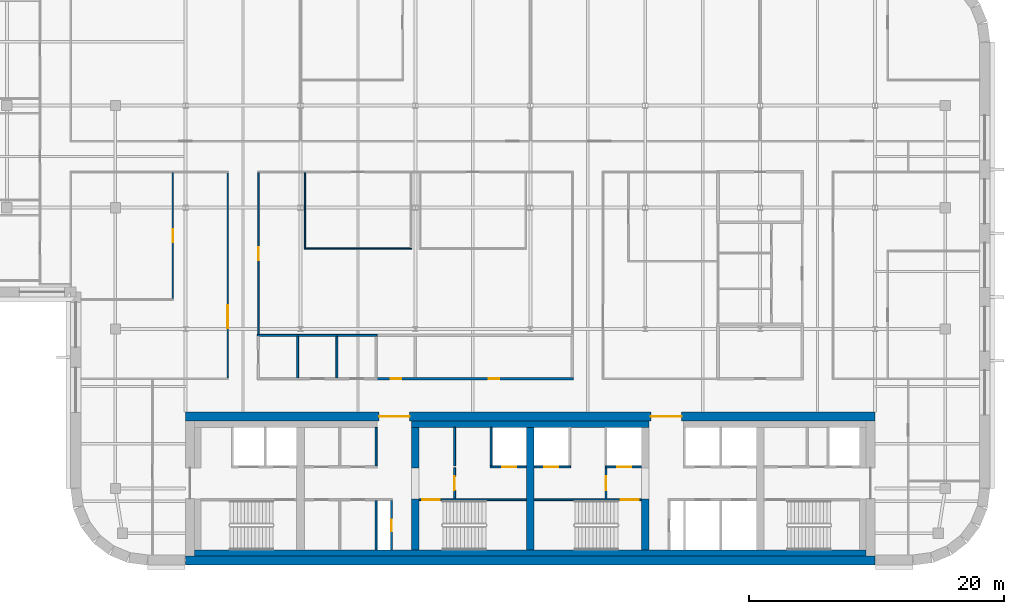
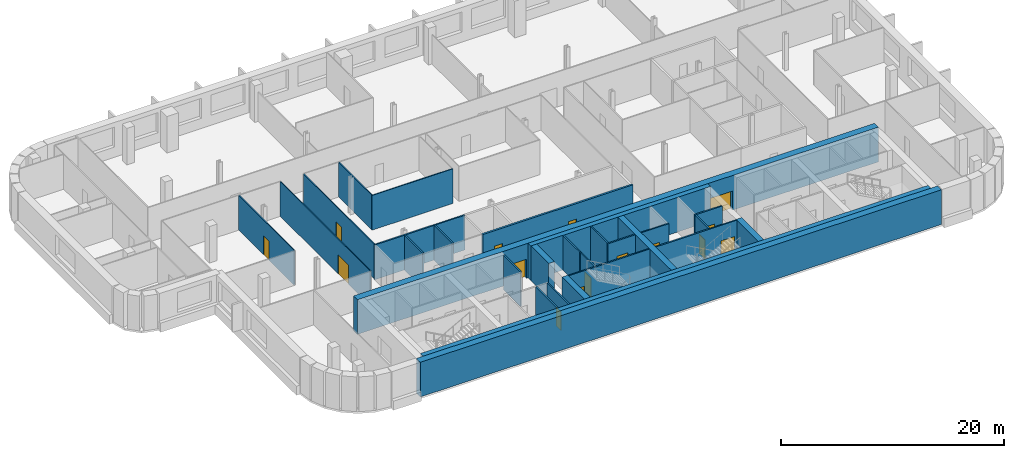
# One storey, part 8 of 17: 29 walls, 15 doors, 15 openings.
"""IFC4 building model written with IfcOpenShell, lengths in metres."""

from ifc_helpers import new_model, si_unit, direction, frame, frame_2d, origin, place, context, subcontext, project, spatial, rectangle, extrude, material, layer, layer_set, type_object, element, fill, save


model = new_model("IFC4")

# Units and contexts
model_context = context("Model", 3, precision=1e-05, world=origin(), true_north=direction((0.0, 1.0)))
body_context = subcontext(model_context, "Body", "Model", "MODEL_VIEW")
ifc_project = project(units=[si_unit("LENGTHUNIT", "METRE"), si_unit("AREAUNIT", "SQUARE_METRE"), si_unit("VOLUMEUNIT", "CUBIC_METRE"), si_unit("PLANEANGLEUNIT", "RADIAN"), si_unit("MASSUNIT", "GRAM", prefix="KILO")], contexts=[model_context])

# Site, building, storey
site_placement = place(None, origin())
site = spatial("IfcSite", under=ifc_project, at=site_placement, CompositionType="ELEMENT")
building_placement = place(site_placement, origin())
building = spatial("IfcBuilding", under=site, at=building_placement, Name="Zellij Exchange Tower", CompositionType="ELEMENT")
storey_placement = place(building_placement, frame((0.0, 0.0, 224.5)))
storey = spatial("IfcBuildingStorey", under=building, at=storey_placement, Name="L52", CompositionType="ELEMENT", Elevation=224.5)

# Walls
ifc_material_1 = material(Name="Concrete C50/60", Category="concrete")
ifc_layer_1 = layer(ifc_material_1, 0.60009765625)
ifc_layer_set_1 = layer_set([ifc_layer_1], Name="Concrete C50/60")
wall_type_1 = type_object("IfcWallType", Name="CORE-CW 600 C50/60", PredefinedType="SHEAR", material=ifc_layer_set_1)
wall_1_placement = place(storey_placement, frame((-9.0, -12.800048828125, 0.0), z_axis=(0.0, 0.0, 1.0), x_axis=(0.0, 1.0, 0.0)))
element("IfcWall", 1, at=wall_1_placement, inside=storey, type_object=wall_type_1, Name="Core cross wall pier x -9 a L52", PredefinedType="SHEAR", context=body_context, shape_type="SweptSolid", body=[
    extrude(rectangle(XDim=4.0, YDim=0.60009765625, at=frame_2d((2.0, 0.0))), origin(), (0.0, 0.0, 1.0), 3.800048828125),
])
wall_2_placement = place(storey_placement, frame((-9.0, -6.375, 0.0), z_axis=(0.0, 0.0, 1.0), x_axis=(0.0, 1.0, 0.0)))
element("IfcWall", 2, at=wall_2_placement, inside=storey, type_object=wall_type_1, Name="Core cross wall pier x -9 b L52", PredefinedType="SHEAR", context=body_context, shape_type="SweptSolid", body=[
    extrude(rectangle(XDim=3.175048828125, YDim=0.60009765625, at=frame_2d((1.58740234375, 0.0))), origin(), (0.0, 0.0, 1.0), 3.800048828125),
])
wall_3_placement = place(storey_placement, frame((0.0, -12.800048828125, 0.0), z_axis=(0.0, 0.0, 1.0), x_axis=(0.0, 1.0, 0.0)))
element("IfcWall", 3, at=wall_3_placement, inside=storey, type_object=wall_type_1, Name="Core cross wall x 0 L52", PredefinedType="SHEAR", context=body_context, shape_type="SweptSolid", body=[
    extrude(rectangle(XDim=9.60009765625, YDim=0.60009765625, at=frame_2d((4.800048828125, 0.0))), origin(), (0.0, 0.0, 1.0), 3.800048828125),
])
wall_4_placement = place(storey_placement, frame((9.0, -12.800048828125, 0.0), z_axis=(0.0, 0.0, 1.0), x_axis=(0.0, 1.0, 0.0)))
element("IfcWall", 4, at=wall_4_placement, inside=storey, type_object=wall_type_1, Name="Core cross wall pier x 9 a L52", PredefinedType="SHEAR", context=body_context, shape_type="SweptSolid", body=[
    extrude(rectangle(XDim=4.0, YDim=0.60009765625, at=frame_2d((2.0, 0.0))), origin(), (0.0, 0.0, 1.0), 3.800048828125),
])
ifc_material_2 = material(Name="Concrete C30/37", Category="concrete")
ifc_layer_2 = layer(ifc_material_2, 0.5)
ifc_layer_set_2 = layer_set([ifc_layer_2], Name="Concrete C30/37")
wall_type_2 = type_object("IfcWallType", Name="CORE-LW 500 C30/37", PredefinedType="SHEAR", material=ifc_layer_set_2)
wall_5_placement = place(storey_placement, frame((-9.300048828125, -2.949951171875, 0.0), z_axis=(0.0, 0.0, 1.0), x_axis=(1.0, 0.0, 0.0)))
element("IfcWall", 5, at=wall_5_placement, inside=storey, type_object=wall_type_2, Name="Core wall lining front.1 L52", PredefinedType="SHEAR", context=body_context, shape_type="SweptSolid", body=[
    extrude(rectangle(XDim=18.60009765625, YDim=0.5, at=frame_2d((9.300048828125, 0.0))), origin(), (0.0, 0.0, 1.0), 3.800048828125),
])
wall_6_placement = place(storey_placement, frame((-26.300048828125, -13.050048828125, 0.0), z_axis=(0.0, 0.0, 1.0), x_axis=(1.0, 0.0, 0.0)))
element("IfcWall", 6, at=wall_6_placement, inside=storey, type_object=wall_type_2, Name="Core wall lining rear.0 L52", PredefinedType="SHEAR", context=body_context, shape_type="SweptSolid", body=[
    extrude(rectangle(XDim=52.60009765625, YDim=0.5, at=frame_2d((26.300048828125, 0.0))), origin(), (0.0, 0.0, 1.0), 3.800048828125),
])

# Wall, opening, door
ifc_material_3 = material(Name="Gypsum shaft wall system")
ifc_layer_3 = layer(ifc_material_3, 0.14990234375)
ifc_layer_set_3 = layer_set([ifc_layer_3], Name="Gypsum shaft wall system")
wall_type_3 = type_object("IfcWallType", Name="CORE-PW 150 Firefighting lobby wall", PredefinedType="PARTITIONING", material=ifc_layer_set_3)
wall_7_placement = place(storey_placement, frame((-5.925048828125, -8.800048828125, 0.0), z_axis=(0.0, 0.0, 1.0), x_axis=(0.0, 1.0, 0.0)))
wall_7 = element("IfcWall", 7, at=wall_7_placement, inside=storey, type_object=wall_type_3, Name="Firefighting lobby wall L52", PredefinedType="PARTITIONING", context=body_context, shape_type="SweptSolid", body=[
    extrude(rectangle(XDim=2.425048828125, YDim=0.14990234375, at=frame_2d((1.21240234375, 0.0))), origin(), (0.0, 0.0, 1.0), 3.800048828125),
])
opening_1_placement = place(wall_7_placement, frame((0.662109375, 0.0, 0.0)))
opening_1 = element("IfcOpeningElement", 8, at=opening_1_placement, cuts=wall_7, Name="Opening CA-28.12", PredefinedType="OPENING", context=body_context, shape_type="SweptSolid", body=[
    extrude(rectangle(XDim=1.10009765625, YDim=2.10009765625, at=frame_2d((0.550048828125, 1.050048828125))), frame((0.0, 0.0869140625, 0.0), z_axis=(0.0, -1.0, 0.0), x_axis=(1.0, 0.0, 0.0)), (0.0, 0.0, 1.0), 0.173828125),
])
ifc_material_4 = material(Name="Hollow metal fire door")
door_type_1 = type_object("IfcDoorType", Name="CORE-D F Firefighting lobby door 1100x2100 1 HR", OperationType="NOTDEFINED", PredefinedType="DOOR", material=ifc_material_4)
door_1_placement = place(opening_1_placement, origin())
door_1 = element("IfcDoor", 9, at=door_1_placement, inside=storey, type_object=door_type_1, Name="Firefighting lobby door CA-28.12", OperationType="SINGLE_SWING_LEFT", OverallHeight=2.10009765625, OverallWidth=1.10009765625, PredefinedType="DOOR", context=body_context, shape_type="SweptSolid", body=[
    extrude(rectangle(XDim=1.10009765625, YDim=2.10009765625, at=frame_2d((0.550048828125, 1.050048828125))), frame((0.0, 0.02490234375, 0.0), z_axis=(0.0, -1.0, 0.0), x_axis=(1.0, 0.0, 0.0)), (0.0, 0.0, 1.0), 0.050048828125),
])
fill(opening_1, door_1)

wall_8_placement = place(storey_placement, frame((5.925048828125, -8.800048828125, 0.0), z_axis=(0.0, 0.0, 1.0), x_axis=(0.0, 1.0, 0.0)))
wall_8 = element("IfcWall", 10, at=wall_8_placement, inside=storey, type_object=wall_type_3, Name="Firefighting lobby wall L52", PredefinedType="PARTITIONING", context=body_context, shape_type="SweptSolid", body=[
    extrude(rectangle(XDim=2.425048828125, YDim=0.14990234375, at=frame_2d((1.21240234375, 0.0))), origin(), (0.0, 0.0, 1.0), 3.800048828125),
])
opening_2_placement = place(wall_8_placement, frame((0.662109375, 0.0, 0.0)))
opening_2 = element("IfcOpeningElement", 11, at=opening_2_placement, cuts=wall_8, Name="Opening CA-28.15", PredefinedType="OPENING", context=body_context, shape_type="SweptSolid", body=[
    extrude(rectangle(XDim=1.10009765625, YDim=2.10009765625, at=frame_2d((0.550048828125, 1.050048828125))), frame((0.0, 0.0869140625, 0.0), z_axis=(0.0, -1.0, 0.0), x_axis=(1.0, 0.0, 0.0)), (0.0, 0.0, 1.0), 0.173828125),
])
door_2_placement = place(opening_2_placement, origin())
door_2 = element("IfcDoor", 12, at=door_2_placement, inside=storey, type_object=door_type_1, Name="Firefighting lobby door CA-28.15", OperationType="SINGLE_SWING_RIGHT", OverallHeight=2.10009765625, OverallWidth=1.10009765625, PredefinedType="DOOR", context=body_context, shape_type="SweptSolid", body=[
    extrude(rectangle(XDim=1.10009765625, YDim=2.10009765625, at=frame_2d((0.550048828125, 1.050048828125))), frame((0.0, 0.02490234375, 0.0), z_axis=(0.0, -1.0, 0.0), x_axis=(1.0, 0.0, 0.0)), (0.0, 0.0, 1.0), 0.050048828125),
])
fill(opening_2, door_2)

# Walls
ifc_material_5 = material(Name="Gypsum board partition")
ifc_layer_4 = layer(ifc_material_5, 0.14990234375)
ifc_layer_set_4 = layer_set([ifc_layer_4], Name="Gypsum board partition")
wall_type_4 = type_object("IfcWallType", Name="CORE-PW 150 Lift lobby wall", PredefinedType="PARTITIONING", material=ifc_layer_set_4)
for number, where, z_axis, x_axis, name in (
    (13, (-12.074951171875, -6.22509765625, 0.0), (0.0, 0.0, 1.0), (0.0, 1.0, 0.0), "Lift lobby wall L52"),
    (14, (-5.925048828125, -6.22509765625, 0.0), (0.0, 0.0, 1.0), (0.0, 1.0, 0.0), "Lift lobby wall L52"),
):
    element("IfcWall", number, at=place(storey_placement, frame(where, z_axis=z_axis, x_axis=x_axis)), inside=storey, type_object=wall_type_4, Name=name, PredefinedType="PARTITIONING", context=body_context, shape_type="SweptSolid", body=[
        extrude(rectangle(XDim=3.025146484375, YDim=0.14990234375, at=frame_2d((1.5126953125, 0.0))), origin(), (0.0, 0.0, 1.0), 3.800048828125),
    ])

# Wall, opening, door
wall_9_placement = place(storey_placement, frame((-10.875, -12.800048828125, 0.0), z_axis=(0.0, 0.0, 1.0), x_axis=(0.0, 1.0, 0.0)))
wall_9 = element("IfcWall", 15, at=wall_9_placement, inside=storey, type_object=wall_type_4, Name="Lift lobby wall L52", PredefinedType="PARTITIONING", context=body_context, shape_type="SweptSolid", body=[
    extrude(rectangle(XDim=3.85009765625, YDim=0.14990234375, at=frame_2d((1.925048828125, 0.0))), origin(), (0.0, 0.0, 1.0), 3.800048828125),
])
opening_3_placement = place(wall_9_placement, frame((1.47509765625, 0.0, 0.0)))
opening_3 = element("IfcOpeningElement", 16, at=opening_3_placement, cuts=wall_9, Name="Opening CA-28.09", PredefinedType="OPENING", context=body_context, shape_type="SweptSolid", body=[
    extrude(rectangle(XDim=0.89990234375, YDim=2.10009765625, at=frame_2d((0.449951171875, 1.050048828125))), frame((0.0, 0.0869140625, 0.0), z_axis=(0.0, -1.0, 0.0), x_axis=(1.0, 0.0, 0.0)), (0.0, 0.0, 1.0), 0.173828125),
])
door_type_2 = type_object("IfcDoorType", Name="CORE-D RD Riser door 900x2100 1.5 HR", OperationType="NOTDEFINED", PredefinedType="DOOR", material=ifc_material_4)
door_3_placement = place(opening_3_placement, origin())
door_3 = element("IfcDoor", 17, at=door_3_placement, inside=storey, type_object=door_type_2, Name="Riser door CA-28.09", OperationType="SINGLE_SWING_RIGHT", OverallHeight=2.10009765625, OverallWidth=0.89990234375, PredefinedType="DOOR", context=body_context, shape_type="SweptSolid", body=[
    extrude(rectangle(XDim=0.89990234375, YDim=2.10009765625, at=frame_2d((0.449951171875, 1.050048828125))), frame((0.0, 0.02490234375, 0.0), z_axis=(0.0, -1.0, 0.0), x_axis=(1.0, 0.0, 0.0)), (0.0, 0.0, 1.0), 0.050048828125),
])
fill(opening_3, door_3)

# Walls
wall_10_placement = place(storey_placement, frame((-12.074951171875, -12.800048828125, 0.0), z_axis=(0.0, 0.0, 1.0), x_axis=(0.0, 1.0, 0.0)))
element("IfcWall", 18, at=wall_10_placement, inside=storey, type_object=wall_type_4, Name="Lift lobby wall L52", PredefinedType="PARTITIONING", context=body_context, shape_type="SweptSolid", body=[
    extrude(rectangle(XDim=3.85009765625, YDim=0.14990234375, at=frame_2d((1.925048828125, 0.0))), origin(), (0.0, 0.0, 1.0), 3.800048828125),
])
ifc_layer_5 = layer(ifc_material_3, 0.14990234375)
ifc_layer_set_5 = layer_set([ifc_layer_5], Name="Gypsum shaft wall system")
wall_type_5 = type_object("IfcWallType", Name="CORE-PW 150 Lift shaft wall", PredefinedType="PARTITIONING", material=ifc_layer_set_5)
wall_11_placement = place(storey_placement, frame((-3.074951171875, -6.22509765625, 0.0), z_axis=(0.0, 0.0, 1.0), x_axis=(0.0, 1.0, 0.0)))
element("IfcWall", 19, at=wall_11_placement, inside=storey, type_object=wall_type_5, Name="Lift shaft wall L52", PredefinedType="PARTITIONING", context=body_context, shape_type="SweptSolid", body=[
    extrude(rectangle(XDim=3.025146484375, YDim=0.14990234375, at=frame_2d((1.5126953125, 0.0))), origin(), (0.0, 0.0, 1.0), 3.800048828125),
])

# Wall, opening, door
wall_12_placement = place(storey_placement, frame((-3.14990234375, -6.300048828125, 0.0), z_axis=(0.0, 0.0, 1.0), x_axis=(1.0, 0.0, 0.0)))
wall_12 = element("IfcWall", 20, at=wall_12_placement, inside=storey, type_object=wall_type_5, Name="Lift shaft wall L52", PredefinedType="PARTITIONING", context=body_context, shape_type="SweptSolid", body=[
    extrude(rectangle(XDim=2.849853515625, YDim=0.14990234375, at=frame_2d((1.4248046875, 0.0))), origin(), (0.0, 0.0, 1.0), 3.800048828125),
])
opening_4_placement = place(wall_12_placement, frame((0.949951171875, 0.0, 0.0)))
opening_4 = element("IfcOpeningElement", 21, at=opening_4_placement, cuts=wall_12, Name="Opening CA-28.13", PredefinedType="OPENING", context=body_context, shape_type="SweptSolid", body=[
    extrude(rectangle(XDim=1.10009765625, YDim=2.10009765625, at=frame_2d((0.550048828125, 1.050048828125))), frame((0.0, 0.0869140625, 0.0), z_axis=(0.0, -1.0, 0.0), x_axis=(1.0, 0.0, 0.0)), (0.0, 0.0, 1.0), 0.173828125),
])
door_type_3 = type_object("IfcDoorType", Name="CORE-D LD Lift landing door 1100x2100 1.5 HR", OperationType="NOTDEFINED", PredefinedType="DOOR", material=ifc_material_4)
door_4_placement = place(opening_4_placement, origin())
door_4 = element("IfcDoor", 22, at=door_4_placement, inside=storey, type_object=door_type_3, Name="Lift landing door CA-28.13", OperationType="SLIDING_TO_LEFT", OverallHeight=2.10009765625, OverallWidth=1.10009765625, PredefinedType="DOOR", context=body_context, shape_type="SweptSolid", body=[
    extrude(rectangle(XDim=1.10009765625, YDim=2.10009765625, at=frame_2d((0.550048828125, 1.050048828125))), frame((0.0, 0.02490234375, 0.0), z_axis=(0.0, -1.0, 0.0), x_axis=(1.0, 0.0, 0.0)), (0.0, 0.0, 1.0), 0.050048828125),
])
fill(opening_4, door_4)

wall_13_placement = place(storey_placement, frame((0.300048828125, -6.300048828125, 0.0), z_axis=(0.0, 0.0, 1.0), x_axis=(1.0, 0.0, 0.0)))
wall_13 = element("IfcWall", 23, at=wall_13_placement, inside=storey, type_object=wall_type_5, Name="Lift shaft wall L52", PredefinedType="PARTITIONING", context=body_context, shape_type="SweptSolid", body=[
    extrude(rectangle(XDim=2.849853515625, YDim=0.14990234375, at=frame_2d((1.4248046875, 0.0))), origin(), (0.0, 0.0, 1.0), 3.800048828125),
])
opening_5_placement = place(wall_13_placement, frame((0.800048828125, 0.0, 0.0)))
opening_5 = element("IfcOpeningElement", 24, at=opening_5_placement, cuts=wall_13, Name="Opening CA-28.14", PredefinedType="OPENING", context=body_context, shape_type="SweptSolid", body=[
    extrude(rectangle(XDim=1.10009765625, YDim=2.10009765625, at=frame_2d((0.550048828125, 1.050048828125))), frame((0.0, 0.0869140625, 0.0), z_axis=(0.0, -1.0, 0.0), x_axis=(1.0, 0.0, 0.0)), (0.0, 0.0, 1.0), 0.173828125),
])
door_5_placement = place(opening_5_placement, origin())
door_5 = element("IfcDoor", 25, at=door_5_placement, inside=storey, type_object=door_type_3, Name="Lift landing door CA-28.14", OperationType="SLIDING_TO_RIGHT", OverallHeight=2.10009765625, OverallWidth=1.10009765625, PredefinedType="DOOR", context=body_context, shape_type="SweptSolid", body=[
    extrude(rectangle(XDim=1.10009765625, YDim=2.10009765625, at=frame_2d((0.550048828125, 1.050048828125))), frame((0.0, 0.02490234375, 0.0), z_axis=(0.0, -1.0, 0.0), x_axis=(1.0, 0.0, 0.0)), (0.0, 0.0, 1.0), 0.050048828125),
])
fill(opening_5, door_5)

wall_14_placement = place(storey_placement, frame((5.85009765625, -6.300048828125, 0.0), z_axis=(0.0, 0.0, 1.0), x_axis=(1.0, 0.0, 0.0)))
wall_14 = element("IfcWall", 26, at=wall_14_placement, inside=storey, type_object=wall_type_5, Name="Lift shaft wall L52", PredefinedType="PARTITIONING", context=body_context, shape_type="SweptSolid", body=[
    extrude(rectangle(XDim=2.849853515625, YDim=0.14990234375, at=frame_2d((1.4248046875, 0.0))), origin(), (0.0, 0.0, 1.0), 3.800048828125),
])
opening_6_placement = place(wall_14_placement, frame((0.949951171875, 0.0, 0.0)))
opening_6 = element("IfcOpeningElement", 27, at=opening_6_placement, cuts=wall_14, Name="Opening CA-28.16", PredefinedType="OPENING", context=body_context, shape_type="SweptSolid", body=[
    extrude(rectangle(XDim=1.10009765625, YDim=2.10009765625, at=frame_2d((0.550048828125, 1.050048828125))), frame((0.0, 0.0869140625, 0.0), z_axis=(0.0, -1.0, 0.0), x_axis=(1.0, 0.0, 0.0)), (0.0, 0.0, 1.0), 0.173828125),
])
door_6_placement = place(opening_6_placement, origin())
door_6 = element("IfcDoor", 28, at=door_6_placement, inside=storey, type_object=door_type_3, Name="Lift landing door CA-28.16", OperationType="SLIDING_TO_RIGHT", OverallHeight=2.10009765625, OverallWidth=1.10009765625, PredefinedType="DOOR", context=body_context, shape_type="SweptSolid", body=[
    extrude(rectangle(XDim=1.10009765625, YDim=2.10009765625, at=frame_2d((0.550048828125, 1.050048828125))), frame((0.0, 0.02490234375, 0.0), z_axis=(0.0, -1.0, 0.0), x_axis=(1.0, 0.0, 0.0)), (0.0, 0.0, 1.0), 0.050048828125),
])
fill(opening_6, door_6)

# Wall, openings, doors
ifc_layer_6 = layer(ifc_material_1, 0.699951171875)
ifc_layer_set_6 = layer_set([ifc_layer_6], Name="Concrete C50/60")
wall_type_6 = type_object("IfcWallType", Name="CORE-SW 700 C50/60", PredefinedType="SHEAR", material=ifc_layer_set_6)
wall_15_placement = place(storey_placement, frame((-27.0, -2.35009765625, 0.0), z_axis=(0.0, 0.0, 1.0), x_axis=(1.0, 0.0, 0.0)))
wall_15 = element("IfcWall", 29, at=wall_15_placement, inside=storey, type_object=wall_type_6, Name="Core shear wall front L52", PredefinedType="SHEAR", context=body_context, shape_type="SweptSolid", body=[
    extrude(rectangle(XDim=54.0, YDim=0.699951171875, at=frame_2d((27.0, 0.0))), origin(), (0.0, 0.0, 1.0), 3.800048828125),
])
opening_7_placement = place(wall_15_placement, frame((15.14990234375, 0.0, 0.0)))
opening_7 = element("IfcOpeningElement", 30, at=opening_7_placement, cuts=wall_15, Name="Opening CA-28.10", PredefinedType="OPENING", context=body_context, shape_type="SweptSolid", body=[
    extrude(rectangle(XDim=2.39990234375, YDim=2.10009765625, at=frame_2d((1.199951171875, 1.050048828125))), frame((0.0, 0.36181640625, 0.0), z_axis=(0.0, -1.0, 0.0), x_axis=(1.0, 0.0, 0.0)), (0.0, 0.0, 1.0), 0.723876953125),
])
opening_8_placement = place(wall_15_placement, frame((36.449951171875, 0.0, 0.0)))
opening_8 = element("IfcOpeningElement", 31, at=opening_8_placement, cuts=wall_15, Name="Opening CA-28.18", PredefinedType="OPENING", context=body_context, shape_type="SweptSolid", body=[
    extrude(rectangle(XDim=2.39990234375, YDim=2.10009765625, at=frame_2d((1.199951171875, 1.050048828125))), frame((0.0, 0.36181640625, 0.0), z_axis=(0.0, -1.0, 0.0), x_axis=(1.0, 0.0, 0.0)), (0.0, 0.0, 1.0), 0.723876953125),
])
door_type_4 = type_object("IfcDoorType", Name="CORE-D CE Core entrance door 2400x2100 20 MIN", OperationType="NOTDEFINED", PredefinedType="DOOR", material=ifc_material_4)
door_7_placement = place(opening_7_placement, origin())
door_7 = element("IfcDoor", 32, at=door_7_placement, inside=storey, type_object=door_type_4, Name="Core entrance door CA-28.10", OperationType="DOUBLE_DOOR_SINGLE_SWING", OverallHeight=2.10009765625, OverallWidth=2.39990234375, PredefinedType="DOOR", context=body_context, shape_type="SweptSolid", body=[
    extrude(rectangle(XDim=2.39990234375, YDim=2.10009765625, at=frame_2d((1.199951171875, 1.050048828125))), frame((0.0, 0.02490234375, 0.0), z_axis=(0.0, -1.0, 0.0), x_axis=(1.0, 0.0, 0.0)), (0.0, 0.0, 1.0), 0.050048828125),
])
fill(opening_7, door_7)
door_8_placement = place(opening_8_placement, origin())
door_8 = element("IfcDoor", 33, at=door_8_placement, inside=storey, type_object=door_type_4, Name="Core entrance door CA-28.18", OperationType="DOUBLE_DOOR_SINGLE_SWING", OverallHeight=2.10009765625, OverallWidth=2.39990234375, PredefinedType="DOOR", context=body_context, shape_type="SweptSolid", body=[
    extrude(rectangle(XDim=2.39990234375, YDim=2.10009765625, at=frame_2d((1.199951171875, 1.050048828125))), frame((0.0, 0.02490234375, 0.0), z_axis=(0.0, -1.0, 0.0), x_axis=(1.0, 0.0, 0.0)), (0.0, 0.0, 1.0), 0.050048828125),
])
fill(opening_8, door_8)

# Wall
wall_16_placement = place(storey_placement, frame((-27.0, -13.64990234375, 0.0), z_axis=(0.0, 0.0, 1.0), x_axis=(1.0, 0.0, 0.0)))
element("IfcWall", 34, at=wall_16_placement, inside=storey, type_object=wall_type_6, Name="Core shear wall rear L52", PredefinedType="SHEAR", context=body_context, shape_type="SweptSolid", body=[
    extrude(rectangle(XDim=54.0, YDim=0.699951171875, at=frame_2d((27.0, 0.0))), origin(), (0.0, 0.0, 1.0), 3.800048828125),
])

# Wall, opening, door
ifc_layer_7 = layer(ifc_material_1, 0.14990234375)
ifc_layer_set_7 = layer_set([ifc_layer_7], Name="Concrete C50/60")
wall_type_7 = type_object("IfcWallType", Name="CORE-SWS 150 C50/60", PredefinedType="SHEAR", material=ifc_layer_set_7)
wall_17_placement = place(storey_placement, frame((-8.699951171875, -8.875, 0.0), z_axis=(0.0, 0.0, 1.0), x_axis=(1.0, 0.0, 0.0)))
wall_17 = element("IfcWall", 35, at=wall_17_placement, inside=storey, type_object=wall_type_7, Name="Stair enclosure wall L52", PredefinedType="SHEAR", context=body_context, shape_type="SweptSolid", body=[
    extrude(rectangle(XDim=8.39990234375, YDim=0.14990234375, at=frame_2d((4.199951171875, 0.0))), origin(), (0.0, 0.0, 1.0), 3.800048828125),
])
opening_9_placement = place(wall_17_placement, frame((0.22509765625, 0.0, 0.0)))
opening_9 = element("IfcOpeningElement", 36, at=opening_9_placement, cuts=wall_17, Name="Opening CA-28.11", PredefinedType="OPENING", context=body_context, shape_type="SweptSolid", body=[
    extrude(rectangle(XDim=1.39990234375, YDim=2.10009765625, at=frame_2d((0.699951171875, 1.050048828125))), frame((0.0, 0.0869140625, 0.0), z_axis=(0.0, -1.0, 0.0), x_axis=(1.0, 0.0, 0.0)), (0.0, 0.0, 1.0), 0.173828125),
])
door_type_5 = type_object("IfcDoorType", Name="CORE-D SD Stair door 1400x2100 1.5 HR", OperationType="NOTDEFINED", PredefinedType="DOOR", material=ifc_material_4)
door_9_placement = place(opening_9_placement, origin())
door_9 = element("IfcDoor", 37, at=door_9_placement, inside=storey, type_object=door_type_5, Name="Stair door CA-28.11", OperationType="DOUBLE_DOOR_SINGLE_SWING", OverallHeight=2.10009765625, OverallWidth=1.39990234375, PredefinedType="DOOR", context=body_context, shape_type="SweptSolid", body=[
    extrude(rectangle(XDim=1.39990234375, YDim=2.10009765625, at=frame_2d((0.699951171875, 1.050048828125))), frame((0.0, 0.02490234375, 0.0), z_axis=(0.0, -1.0, 0.0), x_axis=(1.0, 0.0, 0.0)), (0.0, 0.0, 1.0), 0.050048828125),
])
fill(opening_9, door_9)

wall_18_placement = place(storey_placement, frame((0.300048828125, -8.875, 0.0), z_axis=(0.0, 0.0, 1.0), x_axis=(1.0, 0.0, 0.0)))
wall_18 = element("IfcWall", 38, at=wall_18_placement, inside=storey, type_object=wall_type_7, Name="Stair enclosure wall L52", PredefinedType="SHEAR", context=body_context, shape_type="SweptSolid", body=[
    extrude(rectangle(XDim=8.39990234375, YDim=0.14990234375, at=frame_2d((4.199951171875, 0.0))), origin(), (0.0, 0.0, 1.0), 3.800048828125),
])
opening_10_placement = place(wall_18_placement, frame((6.77490234375, 0.0, 0.0)))
opening_10 = element("IfcOpeningElement", 39, at=opening_10_placement, cuts=wall_18, Name="Opening CA-28.17", PredefinedType="OPENING", context=body_context, shape_type="SweptSolid", body=[
    extrude(rectangle(XDim=1.39990234375, YDim=2.10009765625, at=frame_2d((0.699951171875, 1.050048828125))), frame((0.0, 0.0869140625, 0.0), z_axis=(0.0, -1.0, 0.0), x_axis=(1.0, 0.0, 0.0)), (0.0, 0.0, 1.0), 0.173828125),
])
door_10_placement = place(opening_10_placement, origin())
door_10 = element("IfcDoor", 40, at=door_10_placement, inside=storey, type_object=door_type_5, Name="Stair door CA-28.17", OperationType="DOUBLE_DOOR_SINGLE_SWING", OverallHeight=2.10009765625, OverallWidth=1.39990234375, PredefinedType="DOOR", context=body_context, shape_type="SweptSolid", body=[
    extrude(rectangle(XDim=1.39990234375, YDim=2.10009765625, at=frame_2d((0.699951171875, 1.050048828125))), frame((0.0, 0.02490234375, 0.0), z_axis=(0.0, -1.0, 0.0), x_axis=(1.0, 0.0, 0.0)), (0.0, 0.0, 1.0), 0.050048828125),
])
fill(opening_10, door_10)

# Wall, openings, doors
ifc_material_6 = material(Name="Blockwork partition", Category="masonry")
ifc_layer_8 = layer(ifc_material_6, 0.199951171875)
ifc_layer_set_8 = layer_set([ifc_layer_8], Name="Blockwork partition")
wall_type_8 = type_object("IfcWallType", Name="FIT-BLOCKWORK-200", PredefinedType="PARTITIONING", material=ifc_layer_set_8)
wall_19_placement = place(storey_placement, frame((-12.155029296875, 0.60009765625, 0.0), z_axis=(0.0, 0.0, 1.0), x_axis=(1.0, 0.0, 0.0)))
wall_19 = element("IfcWall", 41, at=wall_19_placement, inside=storey, type_object=wall_type_8, Name="FIT-BLOCKWORK-200 010", PredefinedType="PARTITIONING", context=body_context, shape_type="SweptSolid", body=[
    extrude(rectangle(XDim=15.554931640625, YDim=0.199951171875, at=frame_2d((7.77734375, 0.0))), origin(), (0.0, 0.0, 1.0), 3.800048828125),
])
opening_11_placement = place(wall_19_placement, frame((1.22998046875, 0.0, 0.0)))
opening_11 = element("IfcOpeningElement", 42, at=opening_11_placement, cuts=wall_19, Name="Opening O4A.05", PredefinedType="OPENING", context=body_context, shape_type="SweptSolid", body=[
    extrude(rectangle(XDim=0.800048828125, YDim=2.10009765625, at=frame_2d((0.39990234375, 1.050048828125))), frame((0.0, 0.11181640625, 0.0), z_axis=(0.0, -1.0, 0.0), x_axis=(1.0, 0.0, 0.0)), (0.0, 0.0, 1.0), 0.223876953125),
])
opening_12_placement = place(wall_19_placement, frame((8.905029296875, 0.0, 0.0)))
opening_12 = element("IfcOpeningElement", 43, at=opening_12_placement, cuts=wall_19, Name="Opening O4A.06", PredefinedType="OPENING", context=body_context, shape_type="SweptSolid", body=[
    extrude(rectangle(XDim=0.800048828125, YDim=2.10009765625, at=frame_2d((0.39990234375, 1.050048828125))), frame((0.0, 0.11181640625, 0.0), z_axis=(0.0, -1.0, 0.0), x_axis=(1.0, 0.0, 0.0)), (0.0, 0.0, 1.0), 0.223876953125),
])
ifc_material_7 = material(Name="Timber door set", Category="wood")
door_type_6 = type_object("IfcDoorType", Name="FIT-D6-SERVICE-800X2100", OperationType="SINGLE_SWING_LEFT", PredefinedType="DOOR", material=ifc_material_7)
door_11_placement = place(opening_11_placement, origin())
door_11 = element("IfcDoor", 44, at=door_11_placement, inside=storey, type_object=door_type_6, Name="Door O4A.05", OperationType="SINGLE_SWING_LEFT", OverallHeight=2.10009765625, OverallWidth=0.800048828125, PredefinedType="DOOR", context=body_context, shape_type="SweptSolid", body=[
    extrude(rectangle(XDim=0.800048828125, YDim=2.10009765625, at=frame_2d((0.39990234375, 1.050048828125))), frame((0.0, 0.02490234375, 0.0), z_axis=(0.0, -1.0, 0.0), x_axis=(1.0, 0.0, 0.0)), (0.0, 0.0, 1.0), 0.050048828125),
])
fill(opening_11, door_11)
door_12_placement = place(opening_12_placement, origin())
door_12 = element("IfcDoor", 45, at=door_12_placement, inside=storey, type_object=door_type_6, Name="Door O4A.06", OperationType="SINGLE_SWING_RIGHT", OverallHeight=2.10009765625, OverallWidth=0.800048828125, PredefinedType="DOOR", context=body_context, shape_type="SweptSolid", body=[
    extrude(rectangle(XDim=0.800048828125, YDim=2.10009765625, at=frame_2d((0.39990234375, 1.050048828125))), frame((0.0, 0.02490234375, 0.0), z_axis=(0.0, -1.0, 0.0), x_axis=(1.0, 0.0, 0.0)), (0.0, 0.0, 1.0), 0.050048828125),
])
fill(opening_12, door_12)

# Wall, opening, door
ifc_material_8 = material(Name="Gypsum board partition on steel studs", Category="steel")
ifc_layer_9 = layer(ifc_material_8, 0.10009765625)
ifc_layer_set_9 = layer_set([ifc_layer_9], Name="Gypsum board partition on steel studs")
wall_type_9 = type_object("IfcWallType", Name="FIT-PARTITION-100", PredefinedType="PARTITIONING", material=ifc_layer_set_9)
wall_20_placement = place(storey_placement, frame((-23.699951171875, 0.64990234375, 0.0), z_axis=(0.0, 0.0, 1.0), x_axis=(0.0, 1.0, 0.0)))
wall_20 = element("IfcWall", 46, at=wall_20_placement, inside=storey, type_object=wall_type_9, Name="FIT-PARTITION-100 005", PredefinedType="PARTITIONING", context=body_context, shape_type="SweptSolid", body=[
    extrude(rectangle(XDim=16.10009765625, YDim=0.10009765625, at=frame_2d((8.050048828125, 0.0))), origin(), (0.0, 0.0, 1.0), 3.800048828125),
])
opening_13_placement = place(wall_20_placement, frame((3.89990234375, 0.0, 0.0)))
opening_13 = element("IfcOpeningElement", 47, at=opening_13_placement, cuts=wall_20, Name="Opening O4A.09", PredefinedType="OPENING", context=body_context, shape_type="SweptSolid", body=[
    extrude(rectangle(XDim=1.800048828125, YDim=2.10009765625, at=frame_2d((0.89990234375, 1.050048828125))), frame((0.0, 0.06201171875, 0.0), z_axis=(0.0, -1.0, 0.0), x_axis=(1.0, 0.0, 0.0)), (0.0, 0.0, 1.0), 0.1240234375),
])
door_type_7 = type_object("IfcDoorType", Name="FIT-D3-DOUBLE-1800X2100", OperationType="DOUBLE_DOOR_SINGLE_SWING", PredefinedType="DOOR", material=ifc_material_7)
door_13_placement = place(opening_13_placement, origin())
door_13 = element("IfcDoor", 48, at=door_13_placement, inside=storey, type_object=door_type_7, Name="Door O4A.09", OperationType="DOUBLE_DOOR_SINGLE_SWING", OverallHeight=2.10009765625, OverallWidth=1.800048828125, PredefinedType="DOOR", context=body_context, shape_type="SweptSolid", body=[
    extrude(rectangle(XDim=1.800048828125, YDim=2.10009765625, at=frame_2d((0.89990234375, 1.050048828125))), frame((0.0, 0.02490234375, 0.0), z_axis=(0.0, -1.0, 0.0), x_axis=(1.0, 0.0, 0.0)), (0.0, 0.0, 1.0), 0.050048828125),
])
fill(opening_13, door_13)

wall_21_placement = place(storey_placement, frame((-21.300048828125, 4.074951171875, 0.0), z_axis=(0.0, 0.0, 1.0), x_axis=(0.0, 1.0, 0.0)))
wall_21 = element("IfcWall", 49, at=wall_21_placement, inside=storey, type_object=wall_type_9, Name="FIT-PARTITION-100 023", PredefinedType="PARTITIONING", context=body_context, shape_type="SweptSolid", body=[
    extrude(rectangle(XDim=12.675048828125, YDim=0.10009765625, at=frame_2d((6.33740234375, 0.0))), origin(), (0.0, 0.0, 1.0), 3.800048828125),
])
opening_14_placement = place(wall_21_placement, frame((5.824951171875, 0.0, 0.0)))
opening_14 = element("IfcOpeningElement", 50, at=opening_14_placement, cuts=wall_21, Name="Opening O4A.15", PredefinedType="OPENING", context=body_context, shape_type="SweptSolid", body=[
    extrude(rectangle(XDim=1.0, YDim=2.10009765625, at=frame_2d((0.5, 1.050048828125))), frame((0.0, 0.06201171875, 0.0), z_axis=(0.0, -1.0, 0.0), x_axis=(1.0, 0.0, 0.0)), (0.0, 0.0, 1.0), 0.1240234375),
])
door_type_8 = type_object("IfcDoorType", Name="FIT-D2-WIDE-1000X2100", OperationType="SINGLE_SWING_LEFT", PredefinedType="DOOR", material=ifc_material_7)
door_14_placement = place(opening_14_placement, origin())
door_14 = element("IfcDoor", 51, at=door_14_placement, inside=storey, type_object=door_type_8, Name="Door O4A.15", OperationType="SINGLE_SWING_LEFT", OverallHeight=2.10009765625, OverallWidth=1.0, PredefinedType="DOOR", context=body_context, shape_type="SweptSolid", body=[
    extrude(rectangle(XDim=1.0, YDim=2.10009765625, at=frame_2d((0.5, 1.050048828125))), frame((0.0, 0.02490234375, 0.0), z_axis=(0.0, -1.0, 0.0), x_axis=(1.0, 0.0, 0.0)), (0.0, 0.0, 1.0), 0.050048828125),
])
fill(opening_14, door_14)

wall_22_placement = place(storey_placement, frame((-28.0, 6.85009765625, 0.0), z_axis=(0.0, 0.0, 1.0), x_axis=(0.0, 1.0, 0.0)))
wall_22 = element("IfcWall", 52, at=wall_22_placement, inside=storey, type_object=wall_type_9, Name="FIT-PARTITION-100 031", PredefinedType="PARTITIONING", context=body_context, shape_type="SweptSolid", body=[
    extrude(rectangle(XDim=9.89990234375, YDim=0.10009765625, at=frame_2d((4.949951171875, 0.0))), origin(), (0.0, 0.0, 1.0), 3.800048828125),
])
opening_15_placement = place(wall_22_placement, frame((4.449951171875, 0.0, 0.0)))
opening_15 = element("IfcOpeningElement", 53, at=opening_15_placement, cuts=wall_22, Name="Opening O4A.18", PredefinedType="OPENING", context=body_context, shape_type="SweptSolid", body=[
    extrude(rectangle(XDim=1.0, YDim=2.10009765625, at=frame_2d((0.5, 1.050048828125))), frame((0.0, 0.06201171875, 0.0), z_axis=(0.0, -1.0, 0.0), x_axis=(1.0, 0.0, 0.0)), (0.0, 0.0, 1.0), 0.1240234375),
])
door_15_placement = place(opening_15_placement, origin())
door_15 = element("IfcDoor", 54, at=door_15_placement, inside=storey, type_object=door_type_8, Name="Door O4A.18", OperationType="SINGLE_SWING_LEFT", OverallHeight=2.10009765625, OverallWidth=1.0, PredefinedType="DOOR", context=body_context, shape_type="SweptSolid", body=[
    extrude(rectangle(XDim=1.0, YDim=2.10009765625, at=frame_2d((0.5, 1.050048828125))), frame((0.0, 0.02490234375, 0.0), z_axis=(0.0, -1.0, 0.0), x_axis=(1.0, 0.0, 0.0)), (0.0, 0.0, 1.0), 0.050048828125),
])
fill(opening_15, door_15)

# Walls
wall_23_placement = place(storey_placement, frame((-17.699951171875, 10.800048828125, 0.0), z_axis=(0.0, 0.0, 1.0), x_axis=(1.0, 0.0, 0.0)))
element("IfcWall", 55, at=wall_23_placement, inside=storey, type_object=wall_type_9, Name="FIT-PARTITION-100 041", PredefinedType="PARTITIONING", context=body_context, shape_type="SweptSolid", body=[
    extrude(rectangle(XDim=8.39990234375, YDim=0.10009765625, at=frame_2d((4.199951171875, 0.0))), origin(), (0.0, 0.0, 1.0), 3.800048828125),
])
wall_24_placement = place(storey_placement, frame((-17.64990234375, 10.85009765625, 0.0), z_axis=(0.0, 0.0, 1.0), x_axis=(0.0, 1.0, 0.0)))
element("IfcWall", 56, at=wall_24_placement, inside=storey, type_object=wall_type_9, Name="FIT-PARTITION-100 042", PredefinedType="PARTITIONING", context=body_context, shape_type="SweptSolid", body=[
    extrude(rectangle(XDim=5.89990234375, YDim=0.10009765625, at=frame_2d((2.949951171875, 0.0))), origin(), (0.0, 0.0, 1.0), 3.800048828125),
])
ifc_material_9 = material(Name="Gypsum board shaft-wall partition", Category="gypsum")
ifc_layer_10 = layer(ifc_material_9, 0.14990234375)
ifc_layer_set_10 = layer_set([ifc_layer_10], Name="Gypsum board shaft-wall partition")
wall_type_10 = type_object("IfcWallType", Name="FIT-PARTITION-150-EI60", PredefinedType="PARTITIONING", material=ifc_layer_set_10)
for number, where, z_axis, x_axis, name in (
    (57, (-18.219970703125, 0.675048828125, 0.0), (0.0, 0.0, 1.0), (0.0, 1.0, 0.0), "FIT-PARTITION-150-EI60 008"),
    (58, (-15.14990234375, 0.675048828125, 0.0), (0.0, 0.0, 1.0), (0.0, 1.0, 0.0), "FIT-PARTITION-150-EI60 009"),
):
    element("IfcWall", number, at=place(storey_placement, frame(where, z_axis=z_axis, x_axis=x_axis)), inside=storey, type_object=wall_type_10, Name=name, PredefinedType="PARTITIONING", context=body_context, shape_type="SweptSolid", body=[
        extrude(rectangle(XDim=3.25, YDim=0.14990234375, at=frame_2d((1.625, 0.0))), origin(), (0.0, 0.0, 1.0), 3.800048828125),
    ])
wall_25_placement = place(storey_placement, frame((-21.375, 4.0, 0.0), z_axis=(0.0, 0.0, 1.0), x_axis=(1.0, 0.0, 0.0)))
element("IfcWall", 59, at=wall_25_placement, inside=storey, type_object=wall_type_10, Name="FIT-PARTITION-150-EI60 022", PredefinedType="PARTITIONING", context=body_context, shape_type="SweptSolid", body=[
    extrude(rectangle(XDim=9.3701171875, YDim=0.14990234375, at=frame_2d((4.68505859375, 0.0))), origin(), (0.0, 0.0, 1.0), 3.800048828125),
])

save(model, "model.ifc")
